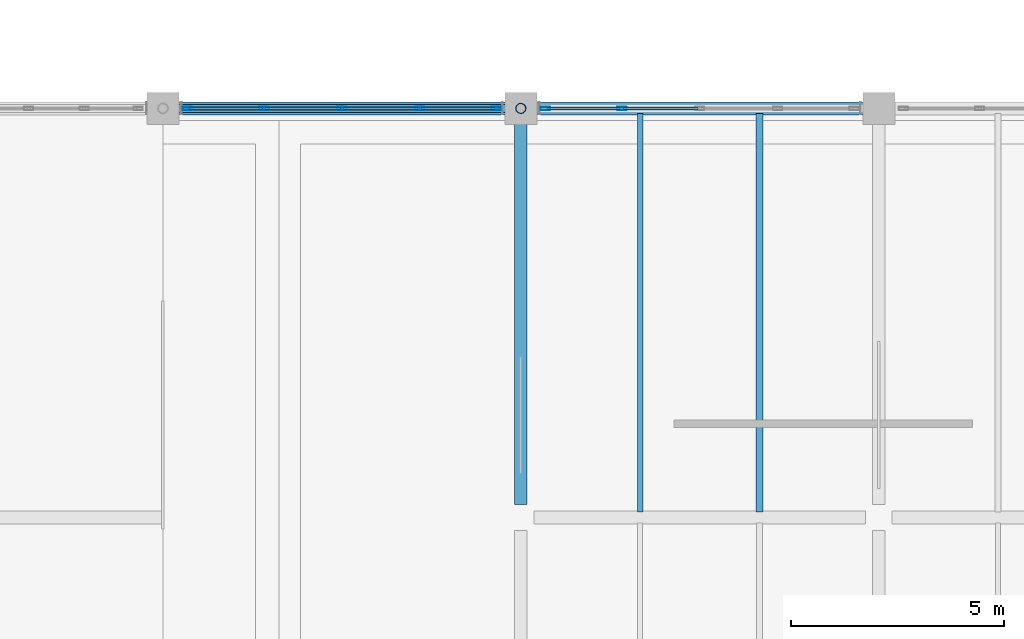
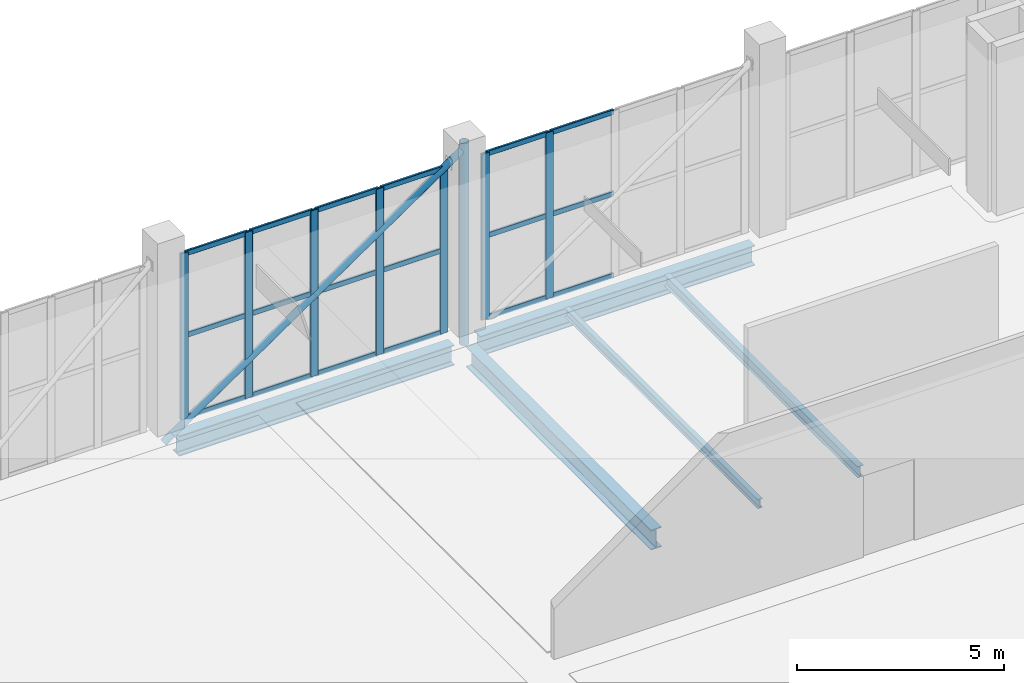
# One storey, part 12 of 49: 27 members, 5 beams, 2 elements without a shape of their own.
"""IFC4 building model written with IfcOpenShell, lengths in metres."""

from ifc_helpers import new_model, si_unit, direction, frame, origin, origin_2d, place, context, subcontext, project, spatial, hollow_rectangle, hollow_circle, i_section, extrude, material, layer, layer_set, material_profile, profile_set, type_object, element, aggregate, save


model = new_model("IFC4")

# Units and contexts
model_context = context("Model", 3, precision=1e-05, world=origin(), true_north=direction((0.0, 1.0)))
body_context = subcontext(model_context, "Body", "Model", "MODEL_VIEW")
ifc_project = project(units=[si_unit("LENGTHUNIT", "METRE"), si_unit("AREAUNIT", "SQUARE_METRE"), si_unit("VOLUMEUNIT", "CUBIC_METRE"), si_unit("PLANEANGLEUNIT", "RADIAN"), si_unit("MASSUNIT", "GRAM", prefix="KILO")], contexts=[model_context])

# Site, building, storey
site_placement = place(None, origin())
site = spatial("IfcSite", under=ifc_project, at=site_placement, CompositionType="ELEMENT")
building_placement = place(site_placement, origin())
building = spatial("IfcBuilding", under=site, at=building_placement, Name="Zulmaris Art Gallery", CompositionType="ELEMENT")
storey_placement = place(building_placement, frame((0.0, 0.0, 20.699951171875)))
storey = spatial("IfcBuildingStorey", under=building, at=storey_placement, Name="L04", CompositionType="ELEMENT", Elevation=20.699951171875)

# Beams
ifc_material_1 = material(Name="Steel S355J2", Category="steel")
ifc_material_profile_1 = material_profile(ifc_material_1, i_section(OverallWidth=0.300048828125, OverallDepth=0.590087890625, WebThickness=0.012939453125, FlangeThickness=0.02490234375, FilletRadius=0.027099609375, at=origin_2d()), Name="HEA 600")
ifc_profile_set_1 = profile_set([ifc_material_profile_1], Name="Steel S355J2")
beam_type_1 = type_object("IfcBeamType", Name="BEAM-BM12", PredefinedType="BEAM", material=ifc_profile_set_1)
beam_1_placement = place(storey_placement, frame((32.760009765625, 50.39990234375, -0.655029296875), z_axis=(1.0, 0.0, 0.0), x_axis=(0.0, 1.0, 0.0)))
element("IfcBeam", 1, at=beam_1_placement, inside=storey, type_object=beam_type_1, Name="L04 X-girder (32.4..40.8, y=50.4)", PredefinedType="BEAM", context=body_context, shape_type="SweptSolid", body=[
    extrude(i_section(OverallWidth=0.300048828125, OverallDepth=0.590087890625, WebThickness=0.012939453125, FlangeThickness=0.02490234375, FilletRadius=0.027099609375, at=origin_2d()), origin(), (0.0, 0.0, 1.0), 7.679931640625),
])
beam_2_placement = place(storey_placement, frame((32.39990234375, 41.110107421875, -0.655029296875), z_axis=(0.0, 1.0, 0.0), x_axis=(-1.0, 0.0, 0.0)))
element("IfcBeam", 2, at=beam_2_placement, inside=storey, type_object=beam_type_1, Name="L04 Y-girder (x=32.4, 40.8..50.4)", PredefinedType="BEAM", context=body_context, shape_type="SweptSolid", body=[
    extrude(i_section(OverallWidth=0.300048828125, OverallDepth=0.590087890625, WebThickness=0.012939453125, FlangeThickness=0.02490234375, FilletRadius=0.027099609375, at=origin_2d()), origin(), (0.0, 0.0, 1.0), 8.929931640625),
])
ifc_material_profile_2 = material_profile(ifc_material_1, i_section(OverallWidth=0.300048828125, OverallDepth=0.60009765625, WebThickness=0.015380859375, FlangeThickness=0.030029296875, FilletRadius=0.027099609375, at=origin_2d()), Name="HEB 600")
ifc_profile_set_2 = profile_set([ifc_material_profile_2], Name="Steel S355J2")
beam_type_2 = type_object("IfcBeamType", Name="BEAM-BM15", PredefinedType="BEAM", material=ifc_profile_set_2)
beam_3_placement = place(storey_placement, frame((24.360107421875, 50.39990234375, -0.659912109375), z_axis=(1.0, 0.0, 0.0), x_axis=(0.0, 1.0, 0.0)))
element("IfcBeam", 3, at=beam_3_placement, inside=storey, type_object=beam_type_2, Name="L04 X-girder (24.0..32.4, y=50.4)", PredefinedType="BEAM", context=body_context, shape_type="SweptSolid", body=[
    extrude(i_section(OverallWidth=0.300048828125, OverallDepth=0.60009765625, WebThickness=0.015380859375, FlangeThickness=0.030029296875, FilletRadius=0.027099609375, at=origin_2d()), origin(), (0.0, 0.0, 1.0), 7.679931640625),
])
ifc_material_profile_3 = material_profile(ifc_material_1, i_section(OverallWidth=0.135009765625, OverallDepth=0.27001953125, WebThickness=0.006591796875, FlangeThickness=0.01025390625, FilletRadius=0.014892578125, at=origin_2d()), Name="IPE 270")
ifc_profile_set_3 = profile_set([ifc_material_profile_3], Name="Steel S355J2")
beam_type_3 = type_object("IfcBeamType", Name="BEAM-JS02", PredefinedType="JOIST", material=ifc_profile_set_3)
beam_4_placement = place(storey_placement, frame((35.199951171875, 40.925048828125, -0.494873046875), z_axis=(0.0, 1.0, 0.0), x_axis=(-1.0, 0.0, 0.0)))
element("IfcBeam", 4, at=beam_4_placement, inside=storey, type_object=beam_type_3, Name="L04 secondary joist at x=35.2", PredefinedType="JOIST", context=body_context, shape_type="SweptSolid", body=[
    extrude(i_section(OverallWidth=0.135009765625, OverallDepth=0.27001953125, WebThickness=0.006591796875, FlangeThickness=0.01025390625, FilletRadius=0.014892578125, at=origin_2d()), origin(), (0.0, 0.0, 1.0), 9.349853515625),
])
ifc_material_profile_4 = material_profile(ifc_material_1, i_section(OverallWidth=0.159912109375, OverallDepth=0.330078125, WebThickness=0.007568359375, FlangeThickness=0.011474609375, FilletRadius=0.01806640625, at=origin_2d()), Name="IPE 330")
ifc_profile_set_4 = profile_set([ifc_material_profile_4], Name="Steel S355J2")
beam_type_4 = type_object("IfcBeamType", Name="BEAM-JS03", PredefinedType="JOIST", material=ifc_profile_set_4)
beam_5_placement = place(storey_placement, frame((38.0, 40.925048828125, -0.52490234375), z_axis=(0.0, 1.0, 0.0), x_axis=(-1.0, 0.0, 0.0)))
element("IfcBeam", 5, at=beam_5_placement, inside=storey, type_object=beam_type_4, Name="L04 secondary joist at x=38.0", PredefinedType="JOIST", context=body_context, shape_type="SweptSolid", body=[
    extrude(i_section(OverallWidth=0.159912109375, OverallDepth=0.330078125, WebThickness=0.007568359375, FlangeThickness=0.011474609375, FilletRadius=0.01806640625, at=origin_2d()), origin(), (0.0, 0.0, 1.0), 9.349853515625),
])

# Curtain wall, members
ifc_material_2 = material(Name="Unitised Low-E Gallery Curtain Wall", Category="aluminium")
ifc_layer = layer(ifc_material_2, 0.179931640625)
ifc_layer_set = layer_set([ifc_layer], Name="Unitised Low-E Gallery Curtain Wall")
curtain_wall_type = type_object("IfcCurtainWallType", Name="CW-CW01", PredefinedType="NOTDEFINED", material=ifc_layer_set)
curtain_wall_1_placement = place(storey_placement, origin())
curtain_wall_1 = element("IfcCurtainWall", 6, at=curtain_wall_1_placement, inside=storey, type_object=curtain_wall_type, Name="L04 curtain wall 24", PredefinedType="NOTDEFINED")
ifc_material_3 = material(Name="Anodised Bronze Aluminium", Category="aluminium")
ifc_material_profile_5 = material_profile(ifc_material_3, hollow_rectangle(XDim=0.074951171875, YDim=0.219970703125, WallThickness=0.0048828125, InnerFilletRadius=0.007568359375, OuterFilletRadius=0.012451171875, at=origin_2d()), Name="ALU 75x220x5")
ifc_profile_set_5 = profile_set([ifc_material_profile_5], Name="Anodised Bronze Aluminium")
member_type_1 = type_object("IfcMemberType", Name="CWMUL-02", PredefinedType="MULLION", material=ifc_profile_set_5)
member_1_placement = place(storey_placement, frame((31.822509765625, 50.39990234375, 0.0), z_axis=(0.0, 0.0, 1.0), x_axis=(0.0, -1.0, 0.0)))
member_1 = element("IfcMember", 7, at=member_1_placement, type_object=member_type_1, Name="CW01 mullion 1", PredefinedType="MULLION", context=body_context, shape_type="SweptSolid", body=[
    extrude(hollow_rectangle(XDim=0.074951171875, YDim=0.219970703125, WallThickness=0.0048828125, InnerFilletRadius=0.007568359375, OuterFilletRadius=0.012451171875, at=origin_2d()), origin(), (0.0, 0.0, 1.0), 4.900146484375),
])
member_2_placement = place(storey_placement, frame((30.030029296875, 50.39990234375, 0.0), z_axis=(0.0, 0.0, 1.0), x_axis=(0.0, -1.0, 0.0)))
member_2 = element("IfcMember", 8, at=member_2_placement, type_object=member_type_1, Name="CW01 mullion 2", PredefinedType="MULLION", context=body_context, shape_type="SweptSolid", body=[
    extrude(hollow_rectangle(XDim=0.074951171875, YDim=0.219970703125, WallThickness=0.0048828125, InnerFilletRadius=0.007568359375, OuterFilletRadius=0.012451171875, at=origin_2d()), origin(), (0.0, 0.0, 1.0), 4.900146484375),
])
member_3_placement = place(storey_placement, frame((28.199951171875, 50.39990234375, 0.0), z_axis=(0.0, 0.0, 1.0), x_axis=(0.0, -1.0, 0.0)))
member_3 = element("IfcMember", 9, at=member_3_placement, type_object=member_type_1, Name="CW01 mullion 3", PredefinedType="MULLION", context=body_context, shape_type="SweptSolid", body=[
    extrude(hollow_rectangle(XDim=0.074951171875, YDim=0.219970703125, WallThickness=0.0048828125, InnerFilletRadius=0.007568359375, OuterFilletRadius=0.012451171875, at=origin_2d()), origin(), (0.0, 0.0, 1.0), 4.900146484375),
])
member_4_placement = place(storey_placement, frame((26.3701171875, 50.39990234375, 0.0), z_axis=(0.0, 0.0, 1.0), x_axis=(0.0, -1.0, 0.0)))
member_4 = element("IfcMember", 10, at=member_4_placement, type_object=member_type_1, Name="CW01 mullion 4", PredefinedType="MULLION", context=body_context, shape_type="SweptSolid", body=[
    extrude(hollow_rectangle(XDim=0.074951171875, YDim=0.219970703125, WallThickness=0.0048828125, InnerFilletRadius=0.007568359375, OuterFilletRadius=0.012451171875, at=origin_2d()), origin(), (0.0, 0.0, 1.0), 4.900146484375),
])
member_5_placement = place(storey_placement, frame((24.577392578125, 50.39990234375, 0.0), z_axis=(0.0, 0.0, 1.0), x_axis=(0.0, -1.0, 0.0)))
member_5 = element("IfcMember", 11, at=member_5_placement, type_object=member_type_1, Name="CW01 mullion 5", PredefinedType="MULLION", context=body_context, shape_type="SweptSolid", body=[
    extrude(hollow_rectangle(XDim=0.074951171875, YDim=0.219970703125, WallThickness=0.0048828125, InnerFilletRadius=0.007568359375, OuterFilletRadius=0.012451171875, at=origin_2d()), origin(), (0.0, 0.0, 1.0), 4.900146484375),
])

curtain_wall_2_placement = place(storey_placement, origin())
curtain_wall_2 = element("IfcCurtainWall", 12, at=curtain_wall_2_placement, inside=storey, type_object=curtain_wall_type, Name="L04 curtain wall 25", PredefinedType="NOTDEFINED")
member_6_placement = place(storey_placement, frame((34.77001953125, 50.39990234375, 0.0), z_axis=(0.0, 0.0, 1.0), x_axis=(0.0, -1.0, 0.0)))
member_6 = element("IfcMember", 13, at=member_6_placement, type_object=member_type_1, Name="CW01 mullion 4", PredefinedType="MULLION", context=body_context, shape_type="SweptSolid", body=[
    extrude(hollow_rectangle(XDim=0.074951171875, YDim=0.219970703125, WallThickness=0.0048828125, InnerFilletRadius=0.007568359375, OuterFilletRadius=0.012451171875, at=origin_2d()), origin(), (0.0, 0.0, 1.0), 4.900146484375),
])
member_7_placement = place(storey_placement, frame((32.9775390625, 50.39990234375, 0.0), z_axis=(0.0, 0.0, 1.0), x_axis=(0.0, -1.0, 0.0)))
member_7 = element("IfcMember", 14, at=member_7_placement, type_object=member_type_1, Name="CW01 mullion 5", PredefinedType="MULLION", context=body_context, shape_type="SweptSolid", body=[
    extrude(hollow_rectangle(XDim=0.074951171875, YDim=0.219970703125, WallThickness=0.0048828125, InnerFilletRadius=0.007568359375, OuterFilletRadius=0.012451171875, at=origin_2d()), origin(), (0.0, 0.0, 1.0), 4.900146484375),
])

# Member
ifc_material_profile_6 = material_profile(ifc_material_3, hollow_rectangle(XDim=0.06494140625, YDim=0.14990234375, WallThickness=0.00390625, InnerFilletRadius=0.006103515625, OuterFilletRadius=0.010009765625, at=origin_2d()), Name="ALU 65x150x4")
ifc_profile_set_6 = profile_set([ifc_material_profile_6], Name="Anodised Bronze Aluminium")
member_type_2 = type_object("IfcMemberType", Name="CWTRN-01", PredefinedType="USERDEFINED", material=ifc_profile_set_6)
member_8_placement = place(storey_placement, frame((31.784912109375, 50.39990234375, 0.03759765625), z_axis=(-1.0, 0.0, 0.0), x_axis=(0.0, -1.0, 0.0)))
member_8 = element("IfcMember", 15, at=member_8_placement, type_object=member_type_2, Name="CW01 transom 1.1", ObjectType="TRANSOM", PredefinedType="USERDEFINED", context=body_context, shape_type="SweptSolid", body=[
    extrude(hollow_rectangle(XDim=0.06494140625, YDim=0.14990234375, WallThickness=0.00390625, InnerFilletRadius=0.006103515625, OuterFilletRadius=0.010009765625, at=origin_2d()), origin(), (0.0, 0.0, 1.0), 1.717529296875),
])

member_9_placement = place(storey_placement, frame((31.784912109375, 50.39990234375, 2.449951171875), z_axis=(-1.0, 0.0, 0.0), x_axis=(0.0, -1.0, 0.0)))
member_9 = element("IfcMember", 16, at=member_9_placement, type_object=member_type_2, Name="CW01 transom 1.2", ObjectType="TRANSOM", PredefinedType="USERDEFINED", context=body_context, shape_type="SweptSolid", body=[
    extrude(hollow_rectangle(XDim=0.06494140625, YDim=0.14990234375, WallThickness=0.00390625, InnerFilletRadius=0.006103515625, OuterFilletRadius=0.010009765625, at=origin_2d()), origin(), (0.0, 0.0, 1.0), 1.717529296875),
])

member_10_placement = place(storey_placement, frame((31.784912109375, 50.39990234375, 4.862548828125), z_axis=(-1.0, 0.0, 0.0), x_axis=(0.0, -1.0, 0.0)))
member_10 = element("IfcMember", 17, at=member_10_placement, type_object=member_type_2, Name="CW01 transom 1.3", ObjectType="TRANSOM", PredefinedType="USERDEFINED", context=body_context, shape_type="SweptSolid", body=[
    extrude(hollow_rectangle(XDim=0.06494140625, YDim=0.14990234375, WallThickness=0.00390625, InnerFilletRadius=0.006103515625, OuterFilletRadius=0.010009765625, at=origin_2d()), origin(), (0.0, 0.0, 1.0), 1.717529296875),
])

member_11_placement = place(storey_placement, frame((29.992431640625, 50.39990234375, 0.03759765625), z_axis=(-1.0, 0.0, 0.0), x_axis=(0.0, -1.0, 0.0)))
member_11 = element("IfcMember", 18, at=member_11_placement, type_object=member_type_2, Name="CW01 transom 2.1", ObjectType="TRANSOM", PredefinedType="USERDEFINED", context=body_context, shape_type="SweptSolid", body=[
    extrude(hollow_rectangle(XDim=0.06494140625, YDim=0.14990234375, WallThickness=0.00390625, InnerFilletRadius=0.006103515625, OuterFilletRadius=0.010009765625, at=origin_2d()), origin(), (0.0, 0.0, 1.0), 1.7548828125),
])

member_12_placement = place(storey_placement, frame((29.992431640625, 50.39990234375, 2.449951171875), z_axis=(-1.0, 0.0, 0.0), x_axis=(0.0, -1.0, 0.0)))
member_12 = element("IfcMember", 19, at=member_12_placement, type_object=member_type_2, Name="CW01 transom 2.2", ObjectType="TRANSOM", PredefinedType="USERDEFINED", context=body_context, shape_type="SweptSolid", body=[
    extrude(hollow_rectangle(XDim=0.06494140625, YDim=0.14990234375, WallThickness=0.00390625, InnerFilletRadius=0.006103515625, OuterFilletRadius=0.010009765625, at=origin_2d()), origin(), (0.0, 0.0, 1.0), 1.7548828125),
])

member_13_placement = place(storey_placement, frame((29.992431640625, 50.39990234375, 4.862548828125), z_axis=(-1.0, 0.0, 0.0), x_axis=(0.0, -1.0, 0.0)))
member_13 = element("IfcMember", 20, at=member_13_placement, type_object=member_type_2, Name="CW01 transom 2.3", ObjectType="TRANSOM", PredefinedType="USERDEFINED", context=body_context, shape_type="SweptSolid", body=[
    extrude(hollow_rectangle(XDim=0.06494140625, YDim=0.14990234375, WallThickness=0.00390625, InnerFilletRadius=0.006103515625, OuterFilletRadius=0.010009765625, at=origin_2d()), origin(), (0.0, 0.0, 1.0), 1.7548828125),
])

member_14_placement = place(storey_placement, frame((28.16259765625, 50.39990234375, 0.03759765625), z_axis=(-1.0, 0.0, 0.0), x_axis=(0.0, -1.0, 0.0)))
member_14 = element("IfcMember", 21, at=member_14_placement, type_object=member_type_2, Name="CW01 transom 3.1", ObjectType="TRANSOM", PredefinedType="USERDEFINED", context=body_context, shape_type="SweptSolid", body=[
    extrude(hollow_rectangle(XDim=0.06494140625, YDim=0.14990234375, WallThickness=0.00390625, InnerFilletRadius=0.006103515625, OuterFilletRadius=0.010009765625, at=origin_2d()), origin(), (0.0, 0.0, 1.0), 1.755126953125),
])

member_15_placement = place(storey_placement, frame((28.16259765625, 50.39990234375, 2.449951171875), z_axis=(-1.0, 0.0, 0.0), x_axis=(0.0, -1.0, 0.0)))
member_15 = element("IfcMember", 22, at=member_15_placement, type_object=member_type_2, Name="CW01 transom 3.2", ObjectType="TRANSOM", PredefinedType="USERDEFINED", context=body_context, shape_type="SweptSolid", body=[
    extrude(hollow_rectangle(XDim=0.06494140625, YDim=0.14990234375, WallThickness=0.00390625, InnerFilletRadius=0.006103515625, OuterFilletRadius=0.010009765625, at=origin_2d()), origin(), (0.0, 0.0, 1.0), 1.755126953125),
])

member_16_placement = place(storey_placement, frame((28.16259765625, 50.39990234375, 4.862548828125), z_axis=(-1.0, 0.0, 0.0), x_axis=(0.0, -1.0, 0.0)))
member_16 = element("IfcMember", 23, at=member_16_placement, type_object=member_type_2, Name="CW01 transom 3.3", ObjectType="TRANSOM", PredefinedType="USERDEFINED", context=body_context, shape_type="SweptSolid", body=[
    extrude(hollow_rectangle(XDim=0.06494140625, YDim=0.14990234375, WallThickness=0.00390625, InnerFilletRadius=0.006103515625, OuterFilletRadius=0.010009765625, at=origin_2d()), origin(), (0.0, 0.0, 1.0), 1.755126953125),
])

member_17_placement = place(storey_placement, frame((26.33251953125, 50.39990234375, 0.03759765625), z_axis=(-1.0, 0.0, 0.0), x_axis=(0.0, -1.0, 0.0)))
member_17 = element("IfcMember", 24, at=member_17_placement, type_object=member_type_2, Name="CW01 transom 4.1", ObjectType="TRANSOM", PredefinedType="USERDEFINED", context=body_context, shape_type="SweptSolid", body=[
    extrude(hollow_rectangle(XDim=0.06494140625, YDim=0.14990234375, WallThickness=0.00390625, InnerFilletRadius=0.006103515625, OuterFilletRadius=0.010009765625, at=origin_2d()), origin(), (0.0, 0.0, 1.0), 1.717529296875),
])

member_18_placement = place(storey_placement, frame((26.33251953125, 50.39990234375, 2.449951171875), z_axis=(-1.0, 0.0, 0.0), x_axis=(0.0, -1.0, 0.0)))
member_18 = element("IfcMember", 25, at=member_18_placement, type_object=member_type_2, Name="CW01 transom 4.2", ObjectType="TRANSOM", PredefinedType="USERDEFINED", context=body_context, shape_type="SweptSolid", body=[
    extrude(hollow_rectangle(XDim=0.06494140625, YDim=0.14990234375, WallThickness=0.00390625, InnerFilletRadius=0.006103515625, OuterFilletRadius=0.010009765625, at=origin_2d()), origin(), (0.0, 0.0, 1.0), 1.717529296875),
])

member_19_placement = place(storey_placement, frame((26.33251953125, 50.39990234375, 4.862548828125), z_axis=(-1.0, 0.0, 0.0), x_axis=(0.0, -1.0, 0.0)))
member_19 = element("IfcMember", 26, at=member_19_placement, type_object=member_type_2, Name="CW01 transom 4.3", ObjectType="TRANSOM", PredefinedType="USERDEFINED", context=body_context, shape_type="SweptSolid", body=[
    extrude(hollow_rectangle(XDim=0.06494140625, YDim=0.14990234375, WallThickness=0.00390625, InnerFilletRadius=0.006103515625, OuterFilletRadius=0.010009765625, at=origin_2d()), origin(), (0.0, 0.0, 1.0), 1.717529296875),
])

aggregate(curtain_wall_1, [member_1, member_2, member_3, member_4, member_5, member_8, member_9, member_10, member_11, member_12, member_13, member_14, member_15, member_16, member_17, member_18, member_19])

member_20_placement = place(storey_placement, frame((36.5625, 50.39990234375, 0.03759765625), z_axis=(-1.0, 0.0, 0.0), x_axis=(0.0, -1.0, 0.0)))
member_20 = element("IfcMember", 27, at=member_20_placement, type_object=member_type_2, Name="CW01 transom 3.1", ObjectType="TRANSOM", PredefinedType="USERDEFINED", context=body_context, shape_type="SweptSolid", body=[
    extrude(hollow_rectangle(XDim=0.06494140625, YDim=0.14990234375, WallThickness=0.00390625, InnerFilletRadius=0.006103515625, OuterFilletRadius=0.010009765625, at=origin_2d()), origin(), (0.0, 0.0, 1.0), 1.7548828125),
])

member_21_placement = place(storey_placement, frame((36.5625, 50.39990234375, 2.449951171875), z_axis=(-1.0, 0.0, 0.0), x_axis=(0.0, -1.0, 0.0)))
member_21 = element("IfcMember", 28, at=member_21_placement, type_object=member_type_2, Name="CW01 transom 3.2", ObjectType="TRANSOM", PredefinedType="USERDEFINED", context=body_context, shape_type="SweptSolid", body=[
    extrude(hollow_rectangle(XDim=0.06494140625, YDim=0.14990234375, WallThickness=0.00390625, InnerFilletRadius=0.006103515625, OuterFilletRadius=0.010009765625, at=origin_2d()), origin(), (0.0, 0.0, 1.0), 1.7548828125),
])

member_22_placement = place(storey_placement, frame((36.5625, 50.39990234375, 4.862548828125), z_axis=(-1.0, 0.0, 0.0), x_axis=(0.0, -1.0, 0.0)))
member_22 = element("IfcMember", 29, at=member_22_placement, type_object=member_type_2, Name="CW01 transom 3.3", ObjectType="TRANSOM", PredefinedType="USERDEFINED", context=body_context, shape_type="SweptSolid", body=[
    extrude(hollow_rectangle(XDim=0.06494140625, YDim=0.14990234375, WallThickness=0.00390625, InnerFilletRadius=0.006103515625, OuterFilletRadius=0.010009765625, at=origin_2d()), origin(), (0.0, 0.0, 1.0), 1.7548828125),
])

member_23_placement = place(storey_placement, frame((34.732421875, 50.39990234375, 0.03759765625), z_axis=(-1.0, 0.0, 0.0), x_axis=(0.0, -1.0, 0.0)))
member_23 = element("IfcMember", 30, at=member_23_placement, type_object=member_type_2, Name="CW01 transom 4.1", ObjectType="TRANSOM", PredefinedType="USERDEFINED", context=body_context, shape_type="SweptSolid", body=[
    extrude(hollow_rectangle(XDim=0.06494140625, YDim=0.14990234375, WallThickness=0.00390625, InnerFilletRadius=0.006103515625, OuterFilletRadius=0.010009765625, at=origin_2d()), origin(), (0.0, 0.0, 1.0), 1.717529296875),
])

member_24_placement = place(storey_placement, frame((34.732421875, 50.39990234375, 2.449951171875), z_axis=(-1.0, 0.0, 0.0), x_axis=(0.0, -1.0, 0.0)))
member_24 = element("IfcMember", 31, at=member_24_placement, type_object=member_type_2, Name="CW01 transom 4.2", ObjectType="TRANSOM", PredefinedType="USERDEFINED", context=body_context, shape_type="SweptSolid", body=[
    extrude(hollow_rectangle(XDim=0.06494140625, YDim=0.14990234375, WallThickness=0.00390625, InnerFilletRadius=0.006103515625, OuterFilletRadius=0.010009765625, at=origin_2d()), origin(), (0.0, 0.0, 1.0), 1.717529296875),
])

member_25_placement = place(storey_placement, frame((34.732421875, 50.39990234375, 4.862548828125), z_axis=(-1.0, 0.0, 0.0), x_axis=(0.0, -1.0, 0.0)))
member_25 = element("IfcMember", 32, at=member_25_placement, type_object=member_type_2, Name="CW01 transom 4.3", ObjectType="TRANSOM", PredefinedType="USERDEFINED", context=body_context, shape_type="SweptSolid", body=[
    extrude(hollow_rectangle(XDim=0.06494140625, YDim=0.14990234375, WallThickness=0.00390625, InnerFilletRadius=0.006103515625, OuterFilletRadius=0.010009765625, at=origin_2d()), origin(), (0.0, 0.0, 1.0), 1.717529296875),
])

aggregate(curtain_wall_2, [member_6, member_7, member_20, member_21, member_22, member_23, member_24, member_25])

# Members
ifc_material_4 = material(Name="Steel S355J2H", Category="steel")
ifc_material_profile_7 = material_profile(ifc_material_4, hollow_circle(Radius=0.096923828125, WallThickness=0.010009765625, at=origin_2d()), Name="CHS 193.7x10")
ifc_profile_set_7 = profile_set([ifc_material_profile_7], Name="Steel S355J2H")
member_type_3 = type_object("IfcMemberType", Name="MEM-TB02", PredefinedType="BRACE", material=ifc_profile_set_7)
member_26_placement = place(storey_placement, frame((24.0, 50.39990234375, -0.517333984375), z_axis=(0.824389928829, 0.0, 0.566022301015), x_axis=(0.0, 1.0, 0.0)))
element("IfcMember", 33, at=member_26_placement, inside=storey, type_object=member_type_3, Name="Eaves cantilever raker 2-4", PredefinedType="BRACE", context=body_context, shape_type="SweptSolid", body=[
    extrude(hollow_circle(Radius=0.096923828125, WallThickness=0.010009765625, at=origin_2d()), origin(), (0.0, 0.0, 1.0), 10.189208984375),
])
ifc_material_profile_8 = material_profile(ifc_material_4, hollow_circle(Radius=0.122314453125, WallThickness=0.012451171875, at=origin_2d()), Name="CHS 244.5x12.5")
ifc_profile_set_8 = profile_set([ifc_material_profile_8], Name="Steel S355J2H")
member_type_4 = type_object("IfcMemberType", Name="MEM-TP02", PredefinedType="POST", material=ifc_profile_set_8)
member_27_placement = place(storey_placement, frame((32.39990234375, 50.39990234375, -0.517333984375), z_axis=(0.0, 0.0, 1.0), x_axis=(1.0, 0.0, 0.0)))
element("IfcMember", 34, at=member_27_placement, inside=storey, type_object=member_type_4, Name="Eaves cantilever post 2-5", PredefinedType="POST", context=body_context, shape_type="SweptSolid", body=[
    extrude(hollow_circle(Radius=0.122314453125, WallThickness=0.012451171875, at=origin_2d()), origin(), (0.0, 0.0, 1.0), 5.96728515625),
])

save(model, "model.ifc")
